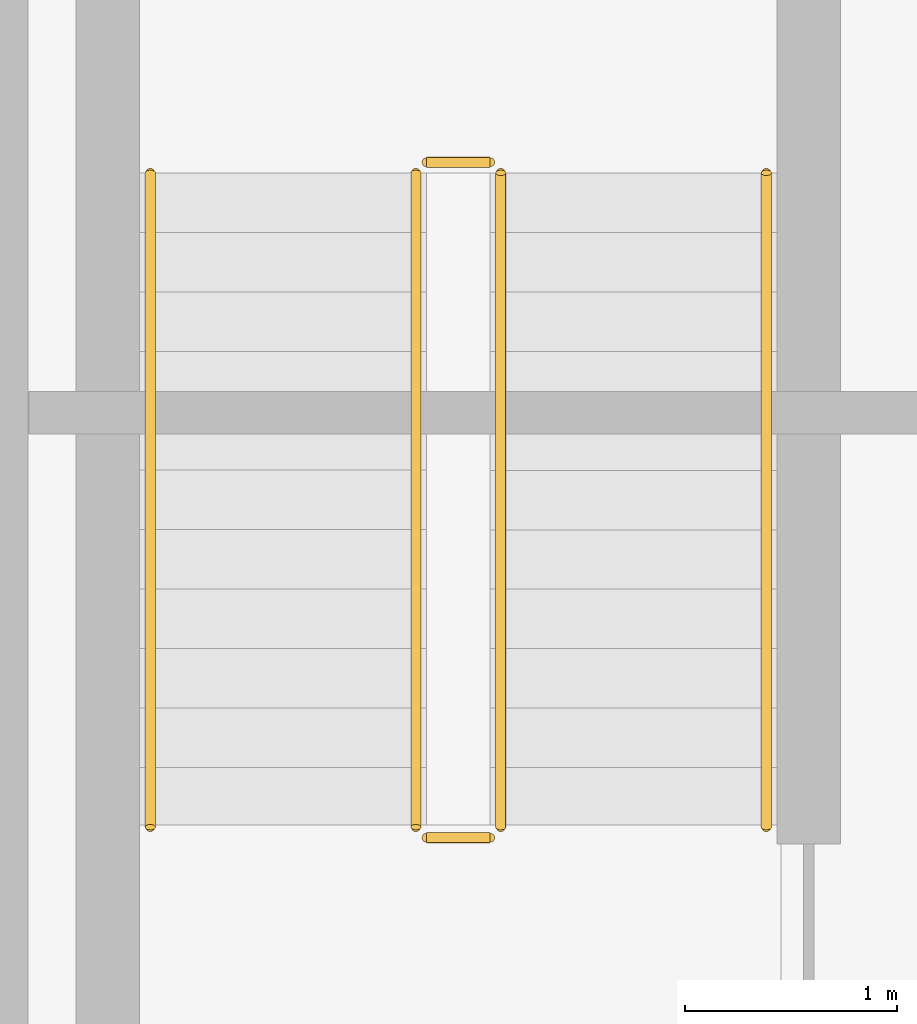
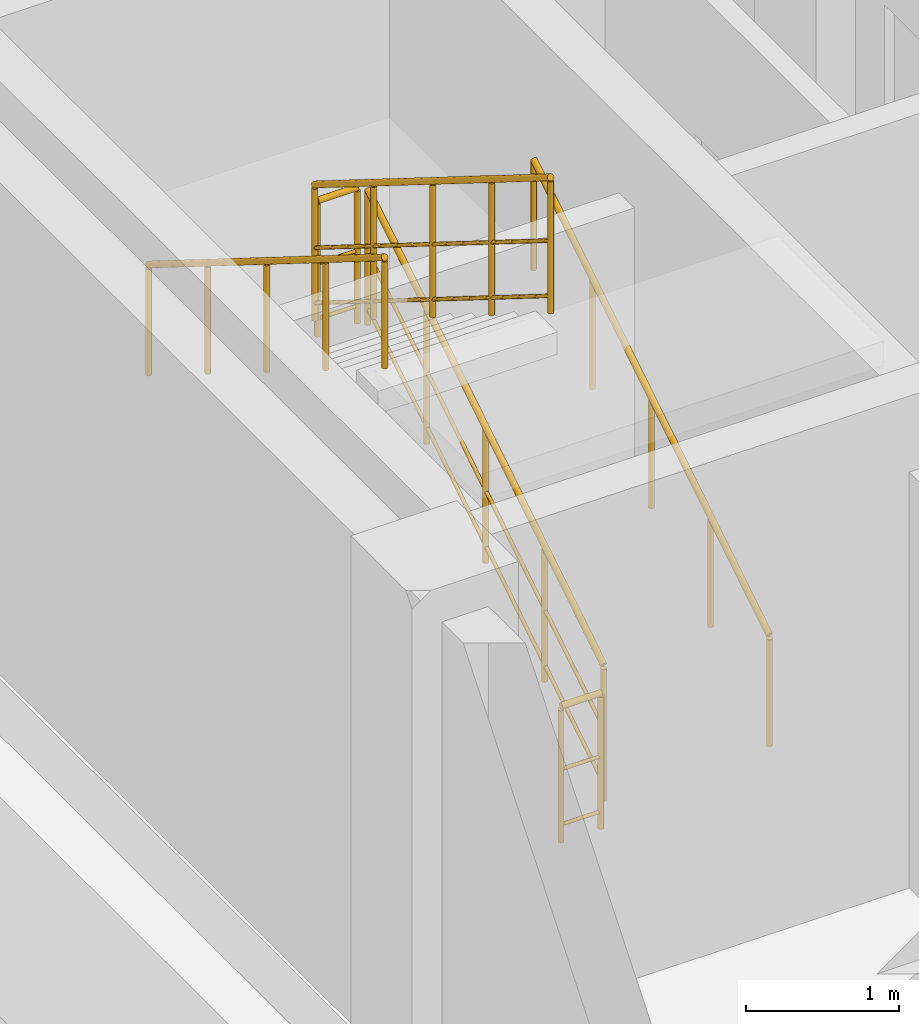
# One storey, part 32 of 34: 6 railings.
"""IFC4 building model written with IfcOpenShell, lengths in metres."""

from ifc_helpers import new_model, si_unit, direction, frame, origin, origin_2d, place, context, subcontext, project, spatial, circle, extrude, material, type_object, element, save


model = new_model("IFC4")

# Units and contexts
model_context = context("Model", 3, precision=1e-05, world=origin(), true_north=direction((0.0, 1.0)))
body_context = subcontext(model_context, "Body", "Model", "MODEL_VIEW")
ifc_project = project(units=[si_unit("LENGTHUNIT", "METRE"), si_unit("AREAUNIT", "SQUARE_METRE"), si_unit("VOLUMEUNIT", "CUBIC_METRE"), si_unit("PLANEANGLEUNIT", "RADIAN"), si_unit("MASSUNIT", "GRAM", prefix="KILO")], contexts=[model_context])

# Site, building, storey
site_placement = place(None, origin())
site = spatial("IfcSite", under=ifc_project, at=site_placement, CompositionType="ELEMENT")
building_placement = place(site_placement, origin())
building = spatial("IfcBuilding", under=site, at=building_placement, Name="Vinh Khe Railworks Police Headquarters", CompositionType="ELEMENT")
storey_placement = place(building_placement, frame((0.0, 0.0, -4.199951171875)))
storey = spatial("IfcBuildingStorey", under=building, at=storey_placement, Name="B1", CompositionType="ELEMENT", Elevation=-4.199951171875)

# Railings
ifc_material_1 = material(Name="Painted tubular steel", Category="steel")
railing_type_1 = type_object("IfcRailingType", Name="RL-GUARD-1100", PredefinedType="GUARDRAIL", material=ifc_material_1)
railing_1_placement = place(storey_placement, frame((3.0, 82.949951171875, 0.175048828125)))
element("IfcRailing", 1, at=railing_1_placement, inside=storey, type_object=railing_type_1, Name="B1 ST-02 stair guard 1", PredefinedType="GUARDRAIL", context=body_context, shape_type="SweptSolid", body=[
    extrude(circle(Radius=0.02392578125, at=origin_2d()), frame((0.0, 0.0, 1.076171875), z_axis=(0.0, 0.848028513186, 0.529950602248), x_axis=(-1.0, 0.0, 0.0)), (0.0, 0.0, 1.0), 3.632080078125),
    extrude(circle(Radius=0.01416015625, at=origin_2d()), frame((0.0, 0.0, 0.132080078125), z_axis=(0.0, 0.848028513186, 0.529950602248), x_axis=(-1.0, 0.0, 0.0)), (0.0, 0.0, 1.0), 3.632080078125),
    extrude(circle(Radius=0.01416015625, at=origin_2d()), frame((0.0, 0.0, 0.572021484375), z_axis=(0.0, 0.848028513186, 0.529950602248), x_axis=(-1.0, 0.0, 0.0)), (0.0, 0.0, 1.0), 3.632080078125),
    extrude(circle(Radius=0.02099609375, at=origin_2d()), origin(), (0.0, 0.0, 1.0), 1.052001953125),
    extrude(circle(Radius=0.02099609375, at=origin_2d()), frame((0.0, 0.77001953125, 0.481201171875)), (0.0, 0.0, 1.0), 1.052001953125),
    extrude(circle(Radius=0.02099609375, at=origin_2d()), frame((0.0, 1.5400390625, 0.96240234375)), (0.0, 0.0, 1.0), 1.052001953125),
    extrude(circle(Radius=0.02099609375, at=origin_2d()), frame((0.0, 2.31005859375, 1.443603515625)), (0.0, 0.0, 1.0), 1.052001953125),
    extrude(circle(Radius=0.02099609375, at=origin_2d()), frame((0.0, 3.080078125, 1.9248046875)), (0.0, 0.0, 1.0), 1.052001953125),
])
railing_2_placement = place(storey_placement, frame((2.949951171875, 86.080078125, 2.099853515625)))
element("IfcRailing", 2, at=railing_2_placement, inside=storey, type_object=railing_type_1, Name="B1 ST-02 stair guard 2", PredefinedType="GUARDRAIL", context=body_context, shape_type="SweptSolid", body=[
    extrude(circle(Radius=0.02392578125, at=origin_2d()), frame((0.0, 0.0, 1.076171875), z_axis=(-1.0, 0.0, 0.0), x_axis=(0.0, -1.0, 0.0)), (0.0, 0.0, 1.0), 0.300048828125),
    extrude(circle(Radius=0.01416015625, at=origin_2d()), frame((0.0, 0.0, 0.132080078125), z_axis=(-1.0, 0.0, 0.0), x_axis=(0.0, -1.0, 0.0)), (0.0, 0.0, 1.0), 0.300048828125),
    extrude(circle(Radius=0.01416015625, at=origin_2d()), frame((0.0, 0.0, 0.572021484375), z_axis=(-1.0, 0.0, 0.0), x_axis=(0.0, -1.0, 0.0)), (0.0, 0.0, 1.0), 0.300048828125),
    extrude(circle(Radius=0.02099609375, at=origin_2d()), origin(), (0.0, 0.0, 1.0), 1.052001953125),
    extrude(circle(Radius=0.02099609375, at=origin_2d()), frame((-0.300048828125, 0.0, 0.0)), (0.0, 0.0, 1.0), 1.052001953125),
])
railing_3_placement = place(storey_placement, frame((2.60009765625, 86.030029296875, 2.27490234375)))
element("IfcRailing", 3, at=railing_3_placement, inside=storey, type_object=railing_type_1, Name="B1 ST-02 stair guard 3", PredefinedType="GUARDRAIL", context=body_context, shape_type="SweptSolid", body=[
    extrude(circle(Radius=0.02392578125, at=origin_2d()), frame((0.0, 0.0, 1.076171875), z_axis=(0.0, -0.847998304005, 0.529998940003), x_axis=(1.0, 0.0, 0.0)), (0.0, 0.0, 1.0), 3.632080078125),
    extrude(circle(Radius=0.01416015625, at=origin_2d()), frame((0.0, 0.0, 0.132080078125), z_axis=(0.0, -0.847998304005, 0.529998940003), x_axis=(1.0, 0.0, 0.0)), (0.0, 0.0, 1.0), 3.632080078125),
    extrude(circle(Radius=0.01416015625, at=origin_2d()), frame((0.0, 0.0, 0.572021484375), z_axis=(0.0, -0.847998304005, 0.529998940003), x_axis=(1.0, 0.0, 0.0)), (0.0, 0.0, 1.0), 3.632080078125),
    extrude(circle(Radius=0.02099609375, at=origin_2d()), origin(), (0.0, 0.0, 1.0), 1.052001953125),
    extrude(circle(Radius=0.02099609375, at=origin_2d()), frame((0.0, -0.77001953125, 0.481201171875)), (0.0, 0.0, 1.0), 1.052001953125),
    extrude(circle(Radius=0.02099609375, at=origin_2d()), frame((0.0, -1.5400390625, 0.96240234375)), (0.0, 0.0, 1.0), 1.052001953125),
    extrude(circle(Radius=0.02099609375, at=origin_2d()), frame((0.0, -2.31005859375, 1.44384765625)), (0.0, 0.0, 1.0), 1.052001953125),
    extrude(circle(Radius=0.02099609375, at=origin_2d()), frame((0.0, -3.080078125, 1.925048828125)), (0.0, 0.0, 1.0), 1.052001953125),
])
railing_4_placement = place(storey_placement, frame((2.949951171875, 82.89990234375, 0.0)))
element("IfcRailing", 4, at=railing_4_placement, inside=storey, type_object=railing_type_1, Name="B1 ST-02 stair guard 4", PredefinedType="GUARDRAIL", context=body_context, shape_type="SweptSolid", body=[
    extrude(circle(Radius=0.02392578125, at=origin_2d()), frame((0.0, 0.0, 1.076171875), z_axis=(-1.0, 0.0, 0.0), x_axis=(0.0, -1.0, 0.0)), (0.0, 0.0, 1.0), 0.300048828125),
    extrude(circle(Radius=0.01416015625, at=origin_2d()), frame((0.0, 0.0, 0.132080078125), z_axis=(-1.0, 0.0, 0.0), x_axis=(0.0, -1.0, 0.0)), (0.0, 0.0, 1.0), 0.300048828125),
    extrude(circle(Radius=0.01416015625, at=origin_2d()), frame((0.0, 0.0, 0.572021484375), z_axis=(-1.0, 0.0, 0.0), x_axis=(0.0, -1.0, 0.0)), (0.0, 0.0, 1.0), 0.300048828125),
    extrude(circle(Radius=0.02099609375, at=origin_2d()), origin(), (0.0, 0.0, 1.0), 1.052001953125),
    extrude(circle(Radius=0.02099609375, at=origin_2d()), frame((-0.300048828125, 0.0, 0.0)), (0.0, 0.0, 1.0), 1.052001953125),
])
ifc_material_2 = material(Name="Brushed stainless steel", Category="steel")
railing_type_2 = type_object("IfcRailingType", Name="RL-HAND-900", PredefinedType="HANDRAIL", material=ifc_material_2)
railing_5_placement = place(storey_placement, frame((4.25, 82.949951171875, 0.175048828125)))
element("IfcRailing", 5, at=railing_5_placement, inside=storey, type_object=railing_type_2, Name="B1 ST-02 stair handrail 1", PredefinedType="HANDRAIL", context=body_context, shape_type="SweptSolid", body=[
    extrude(circle(Radius=0.02392578125, at=origin_2d()), frame((0.0, 0.0, 0.8759765625), z_axis=(0.0, 0.848028513186, 0.529950602248), x_axis=(-1.0, 0.0, 0.0)), (0.0, 0.0, 1.0), 3.632080078125),
    extrude(circle(Radius=0.02099609375, at=origin_2d()), origin(), (0.0, 0.0, 1.0), 0.851806640625),
    extrude(circle(Radius=0.02099609375, at=origin_2d()), frame((0.0, 0.77001953125, 0.481201171875)), (0.0, 0.0, 1.0), 0.851806640625),
    extrude(circle(Radius=0.02099609375, at=origin_2d()), frame((0.0, 1.5400390625, 0.96240234375)), (0.0, 0.0, 1.0), 0.851806640625),
    extrude(circle(Radius=0.02099609375, at=origin_2d()), frame((0.0, 2.31005859375, 1.443603515625)), (0.0, 0.0, 1.0), 0.851806640625),
    extrude(circle(Radius=0.02099609375, at=origin_2d()), frame((0.0, 3.080078125, 1.9248046875)), (0.0, 0.0, 1.0), 0.851806640625),
])
railing_6_placement = place(storey_placement, frame((1.35009765625, 86.030029296875, 2.27490234375)))
element("IfcRailing", 6, at=railing_6_placement, inside=storey, type_object=railing_type_2, Name="B1 ST-02 stair handrail 2", PredefinedType="HANDRAIL", context=body_context, shape_type="SweptSolid", body=[
    extrude(circle(Radius=0.02392578125, at=origin_2d()), frame((0.0, 0.0, 0.8759765625), z_axis=(0.0, -0.847998304005, 0.529998940003), x_axis=(1.0, 0.0, 0.0)), (0.0, 0.0, 1.0), 3.632080078125),
    extrude(circle(Radius=0.02099609375, at=origin_2d()), origin(), (0.0, 0.0, 1.0), 0.851806640625),
    extrude(circle(Radius=0.02099609375, at=origin_2d()), frame((0.0, -0.77001953125, 0.481201171875)), (0.0, 0.0, 1.0), 0.851806640625),
    extrude(circle(Radius=0.02099609375, at=origin_2d()), frame((0.0, -1.5400390625, 0.96240234375)), (0.0, 0.0, 1.0), 0.851806640625),
    extrude(circle(Radius=0.02099609375, at=origin_2d()), frame((0.0, -2.31005859375, 1.44384765625)), (0.0, 0.0, 1.0), 0.851806640625),
    extrude(circle(Radius=0.02099609375, at=origin_2d()), frame((0.0, -3.080078125, 1.925048828125)), (0.0, 0.0, 1.0), 0.851806640625),
])

save(model, "model.ifc")
